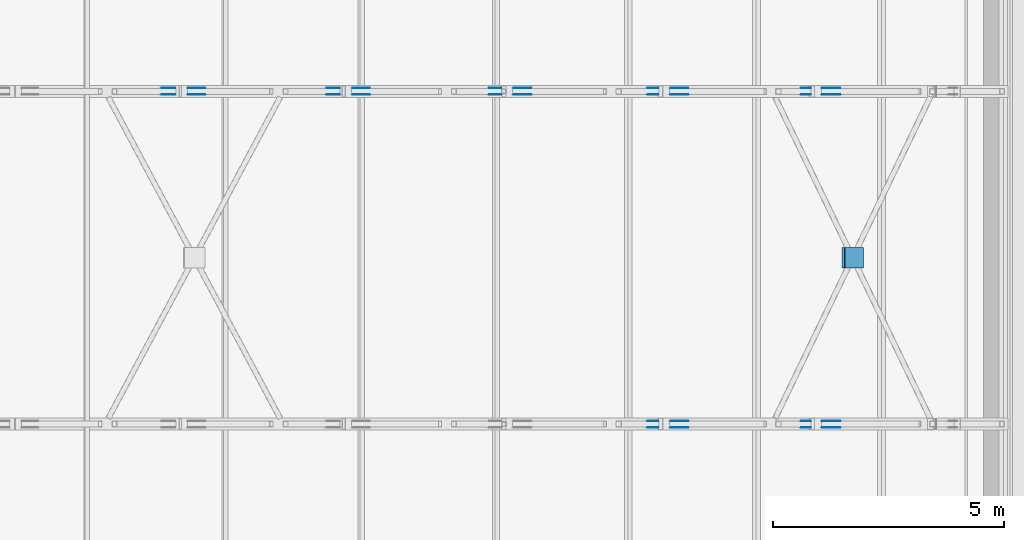
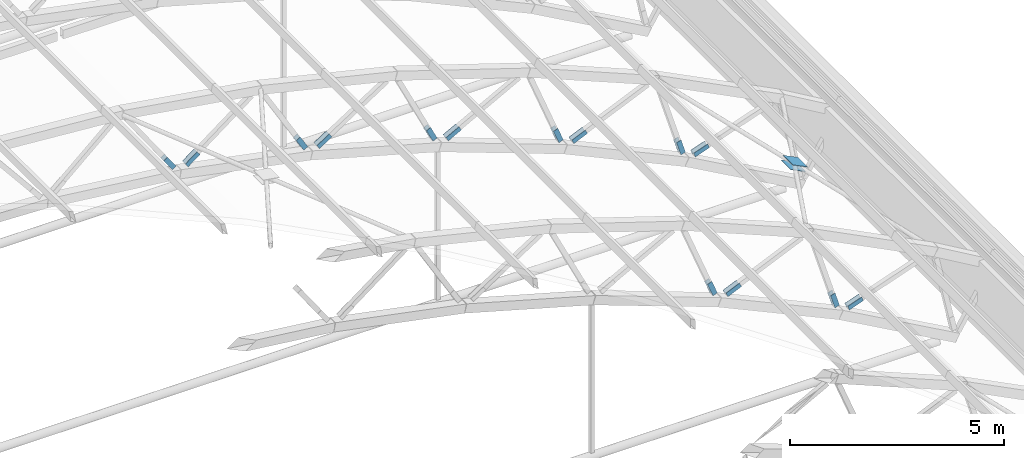
# One storey, part 89 of 127: 30 discrete accessories.
"""IFC4 building model written with IfcOpenShell, lengths in metres."""

from ifc_helpers import new_model, si_unit, direction, frame, origin, origin_2d, place, context, subcontext, project, spatial, rectangle, extrude, material, material_profile, profile_set, type_object, element, save


model = new_model("IFC4")

# Units and contexts
model_context = context("Model", 3, precision=1e-05, world=origin(), true_north=direction((0.0, 1.0)))
body_context = subcontext(model_context, "Body", "Model", "MODEL_VIEW")
ifc_project = project(units=[si_unit("LENGTHUNIT", "METRE"), si_unit("AREAUNIT", "SQUARE_METRE"), si_unit("VOLUMEUNIT", "CUBIC_METRE"), si_unit("PLANEANGLEUNIT", "RADIAN"), si_unit("MASSUNIT", "GRAM", prefix="KILO")], contexts=[model_context])

# Site, building, storey
site_placement = place(None, origin())
site = spatial("IfcSite", under=ifc_project, at=site_placement, CompositionType="ELEMENT")
building_placement = place(site_placement, origin())
building = spatial("IfcBuilding", under=site, at=building_placement, Name="Verrick Yard Athletic Hall", CompositionType="ELEMENT")
storey_placement = place(building_placement, frame((0.0, 0.0, 14.0)))
storey = spatial("IfcBuildingStorey", under=building, at=storey_placement, Name="L03", CompositionType="ELEMENT", Elevation=14.0)

# Discrete accessories
ifc_material = material(Name="Structural steel 350W (CSA G40.21)", Category="steel")
ifc_material_profile_1 = material_profile(ifc_material, rectangle(XDim=0.39990234375, YDim=0.126953125, at=origin_2d()), Name="Brace end cheek plate")
ifc_profile_set_1 = profile_set([ifc_material_profile_1], Name="Structural steel 350W (CSA G40.21)")
discrete_accessory_type_1 = type_object("IfcDiscreteAccessoryType", Name="Brace end cheek plate 400x127x12", PredefinedType="BRACKET", material=ifc_profile_set_1)
discrete_accessory_1_placement = place(storey_placement, frame((69.413330078125, 86.33642578125, 3.684814453125), z_axis=(0.0, -1.0, 0.0), x_axis=(-0.363562561074, 0.0, 0.931569784925)))
element("IfcDiscreteAccessory", 1, at=discrete_accessory_1_placement, inside=storey, type_object=discrete_accessory_type_1, Name="Truss web end plate TB3-24 1", PredefinedType="BRACKET", context=body_context, shape_type="SweptSolid", body=[
    extrude(rectangle(XDim=0.39990234375, YDim=0.126953125, at=origin_2d()), origin(), (0.0, 0.0, 1.0), 0.011962890625),
])
for number, where, z_axis, x_axis, name in (
    (2, (69.413330078125, 86.46337890625, 3.684814453125), (0.0, 1.0, 0.0), (-0.363562561074, 0.0, 0.931569784925), "Truss web end plate TB3-24 2"),
    (3, (69.987060546875, 86.46337890625, 3.447509765625), (0.0, 1.0, 0.0), (0.915285173692, 0.0, 0.402806468194), "Truss web end plate TB3-25 1"),
):
    element("IfcDiscreteAccessory", number, at=place(storey_placement, frame(where, z_axis=z_axis, x_axis=x_axis)), inside=storey, type_object=discrete_accessory_type_1, Name=name, PredefinedType="BRACKET", context=body_context, shape_type="SweptSolid", body=[
        extrude(rectangle(XDim=0.39990234375, YDim=0.126953125, at=origin_2d()), origin(), (0.0, 0.0, 1.0), 0.01220703125),
    ])
for number, where, z_axis, x_axis, name in (
    (4, (69.987060546875, 86.33642578125, 3.447509765625), (0.0, -1.0, 0.0), (0.915285173692, 0.0, 0.402806468194), "Truss web end plate TB3-25 2"),
    (5, (72.722412109375, 86.33642578125, 2.18896484375), (0.0, -1.0, 0.0), (-0.289473335175, 0.0, 0.95718607816), "Truss web end plate TB3-26 1"),
):
    element("IfcDiscreteAccessory", number, at=place(storey_placement, frame(where, z_axis=z_axis, x_axis=x_axis)), inside=storey, type_object=discrete_accessory_type_1, Name=name, PredefinedType="BRACKET", context=body_context, shape_type="SweptSolid", body=[
        extrude(rectangle(XDim=0.39990234375, YDim=0.126953125, at=origin_2d()), origin(), (0.0, 0.0, 1.0), 0.011962890625),
    ])
for number, where, z_axis, x_axis, name in (
    (6, (72.722412109375, 86.46337890625, 2.18896484375), (0.0, 1.0, 0.0), (-0.289473335175, 0.0, 0.95718607816), "Truss web end plate TB3-26 2"),
    (7, (73.27587890625, 86.46337890625, 1.907470703125), (0.0, 1.0, 0.0), (0.944025603302, 0.0, 0.32987218784), "Truss web end plate TB3-27 1"),
):
    element("IfcDiscreteAccessory", number, at=place(storey_placement, frame(where, z_axis=z_axis, x_axis=x_axis)), inside=storey, type_object=discrete_accessory_type_1, Name=name, PredefinedType="BRACKET", context=body_context, shape_type="SweptSolid", body=[
        extrude(rectangle(XDim=0.39990234375, YDim=0.126953125, at=origin_2d()), origin(), (0.0, 0.0, 1.0), 0.01220703125),
    ])
discrete_accessory_2_placement = place(storey_placement, frame((73.27587890625, 86.33642578125, 1.907470703125), z_axis=(0.0, -1.0, 0.0), x_axis=(0.944025603302, 0.0, 0.32987218784)))
element("IfcDiscreteAccessory", 8, at=discrete_accessory_2_placement, inside=storey, type_object=discrete_accessory_type_1, Name="Truss web end plate TB3-27 2", PredefinedType="BRACKET", context=body_context, shape_type="SweptSolid", body=[
    extrude(rectangle(XDim=0.39990234375, YDim=0.126953125, at=origin_2d()), origin(), (0.0, 0.0, 1.0), 0.011962890625),
])
discrete_accessory_3_placement = place(storey_placement, frame((58.92822265625, 93.53662109375, 6.56103515625), z_axis=(0.0, -1.0, 0.0), x_axis=(-0.570674326681, 0.0, 0.821176480951)))
element("IfcDiscreteAccessory", 9, at=discrete_accessory_3_placement, inside=storey, type_object=discrete_accessory_type_1, Name="Truss web end plate TB4-18 1", PredefinedType="BRACKET", context=body_context, shape_type="SweptSolid", body=[
    extrude(rectangle(XDim=0.39990234375, YDim=0.126953125, at=origin_2d()), origin(), (0.0, 0.0, 1.0), 0.01220703125),
])
for number, where, z_axis, x_axis, name in (
    (10, (58.92822265625, 93.66357421875, 6.56103515625), (0.0, 1.0, 0.0), (-0.570674326681, 0.0, 0.821176480951), "Truss web end plate TB4-18 2"),
    (11, (59.541748046875, 93.66357421875, 6.464111328125), (0.0, 1.0, 0.0), (0.796193473644, 0.0, 0.605042108061), "Truss web end plate TB4-19 1"),
):
    element("IfcDiscreteAccessory", number, at=place(storey_placement, frame(where, z_axis=z_axis, x_axis=x_axis)), inside=storey, type_object=discrete_accessory_type_1, Name=name, PredefinedType="BRACKET", context=body_context, shape_type="SweptSolid", body=[
        extrude(rectangle(XDim=0.39990234375, YDim=0.126953125, at=origin_2d()), origin(), (0.0, 0.0, 1.0), 0.011962890625),
    ])
for number, where, z_axis, x_axis, name in (
    (12, (59.541748046875, 93.53662109375, 6.464111328125), (0.0, -1.0, 0.0), (0.796193473644, 0.0, 0.605042108061), "Truss web end plate TB4-19 2"),
    (13, (62.494873046875, 93.53662109375, 5.877685546875), (0.0, -1.0, 0.0), (-0.504596608522, 0.0, 0.863355235502), "Truss web end plate TB4-20 1"),
):
    element("IfcDiscreteAccessory", number, at=place(storey_placement, frame(where, z_axis=z_axis, x_axis=x_axis)), inside=storey, type_object=discrete_accessory_type_1, Name=name, PredefinedType="BRACKET", context=body_context, shape_type="SweptSolid", body=[
        extrude(rectangle(XDim=0.39990234375, YDim=0.126953125, at=origin_2d()), origin(), (0.0, 0.0, 1.0), 0.01220703125),
    ])
for number, where, z_axis, x_axis, name in (
    (14, (62.494873046875, 93.66357421875, 5.877685546875), (0.0, 1.0, 0.0), (-0.504596608522, 0.0, 0.863355235502), "Truss web end plate TB4-20 2"),
    (15, (63.098876953125, 93.66357421875, 5.73291015625), (0.0, 1.0, 0.0), (0.841141186405, 0.0, 0.540815591984), "Truss web end plate TB4-21 1"),
):
    element("IfcDiscreteAccessory", number, at=place(storey_placement, frame(where, z_axis=z_axis, x_axis=x_axis)), inside=storey, type_object=discrete_accessory_type_1, Name=name, PredefinedType="BRACKET", context=body_context, shape_type="SweptSolid", body=[
        extrude(rectangle(XDim=0.39990234375, YDim=0.126953125, at=origin_2d()), origin(), (0.0, 0.0, 1.0), 0.011962890625),
    ])
for number, where, z_axis, x_axis, name in (
    (16, (63.098876953125, 93.53662109375, 5.73291015625), (0.0, -1.0, 0.0), (0.841141186405, 0.0, 0.540815591984), "Truss web end plate TB4-21 2"),
    (17, (65.9970703125, 93.53662109375, 4.9169921875), (0.0, -1.0, 0.0), (-0.435417263932, 0.0, 0.90022875219), "Truss web end plate TB4-22 1"),
):
    element("IfcDiscreteAccessory", number, at=place(storey_placement, frame(where, z_axis=z_axis, x_axis=x_axis)), inside=storey, type_object=discrete_accessory_type_1, Name=name, PredefinedType="BRACKET", context=body_context, shape_type="SweptSolid", body=[
        extrude(rectangle(XDim=0.39990234375, YDim=0.126953125, at=origin_2d()), origin(), (0.0, 0.0, 1.0), 0.01220703125),
    ])
for number, where, z_axis, x_axis, name in (
    (18, (65.9970703125, 93.66357421875, 4.9169921875), (0.0, 1.0, 0.0), (-0.435417263932, 0.0, 0.90022875219), "Truss web end plate TB4-22 2"),
    (19, (66.587890625, 93.66357421875, 4.725341796875), (0.0, 1.0, 0.0), (0.880919955637, 0.0, 0.473265286876), "Truss web end plate TB4-23 1"),
):
    element("IfcDiscreteAccessory", number, at=place(storey_placement, frame(where, z_axis=z_axis, x_axis=x_axis)), inside=storey, type_object=discrete_accessory_type_1, Name=name, PredefinedType="BRACKET", context=body_context, shape_type="SweptSolid", body=[
        extrude(rectangle(XDim=0.39990234375, YDim=0.126953125, at=origin_2d()), origin(), (0.0, 0.0, 1.0), 0.011962890625),
    ])
for number, where, z_axis, x_axis, name in (
    (20, (66.587890625, 93.53662109375, 4.725341796875), (0.0, -1.0, 0.0), (0.880919955637, 0.0, 0.473265286876), "Truss web end plate TB4-23 2"),
    (21, (69.413330078125, 93.53662109375, 3.684814453125), (0.0, -1.0, 0.0), (-0.363562561074, 0.0, 0.931569784925), "Truss web end plate TB4-24 1"),
):
    element("IfcDiscreteAccessory", number, at=place(storey_placement, frame(where, z_axis=z_axis, x_axis=x_axis)), inside=storey, type_object=discrete_accessory_type_1, Name=name, PredefinedType="BRACKET", context=body_context, shape_type="SweptSolid", body=[
        extrude(rectangle(XDim=0.39990234375, YDim=0.126953125, at=origin_2d()), origin(), (0.0, 0.0, 1.0), 0.01220703125),
    ])
for number, where, z_axis, x_axis, name in (
    (22, (69.413330078125, 93.66357421875, 3.684814453125), (0.0, 1.0, 0.0), (-0.363562561074, 0.0, 0.931569784925), "Truss web end plate TB4-24 2"),
    (23, (69.987060546875, 93.66357421875, 3.447509765625), (0.0, 1.0, 0.0), (0.915285173692, 0.0, 0.402806468194), "Truss web end plate TB4-25 1"),
):
    element("IfcDiscreteAccessory", number, at=place(storey_placement, frame(where, z_axis=z_axis, x_axis=x_axis)), inside=storey, type_object=discrete_accessory_type_1, Name=name, PredefinedType="BRACKET", context=body_context, shape_type="SweptSolid", body=[
        extrude(rectangle(XDim=0.39990234375, YDim=0.126953125, at=origin_2d()), origin(), (0.0, 0.0, 1.0), 0.011962890625),
    ])
for number, where, z_axis, x_axis, name in (
    (24, (69.987060546875, 93.53662109375, 3.447509765625), (0.0, -1.0, 0.0), (0.915285173692, 0.0, 0.402806468194), "Truss web end plate TB4-25 2"),
    (25, (72.722412109375, 93.53662109375, 2.18896484375), (0.0, -1.0, 0.0), (-0.289473335175, 0.0, 0.95718607816), "Truss web end plate TB4-26 1"),
):
    element("IfcDiscreteAccessory", number, at=place(storey_placement, frame(where, z_axis=z_axis, x_axis=x_axis)), inside=storey, type_object=discrete_accessory_type_1, Name=name, PredefinedType="BRACKET", context=body_context, shape_type="SweptSolid", body=[
        extrude(rectangle(XDim=0.39990234375, YDim=0.126953125, at=origin_2d()), origin(), (0.0, 0.0, 1.0), 0.01220703125),
    ])
for number, where, z_axis, x_axis, name in (
    (26, (72.722412109375, 93.66357421875, 2.18896484375), (0.0, 1.0, 0.0), (-0.289473335175, 0.0, 0.95718607816), "Truss web end plate TB4-26 2"),
    (27, (73.27587890625, 93.66357421875, 1.907470703125), (0.0, 1.0, 0.0), (0.944025603302, 0.0, 0.32987218784), "Truss web end plate TB4-27 1"),
):
    element("IfcDiscreteAccessory", number, at=place(storey_placement, frame(where, z_axis=z_axis, x_axis=x_axis)), inside=storey, type_object=discrete_accessory_type_1, Name=name, PredefinedType="BRACKET", context=body_context, shape_type="SweptSolid", body=[
        extrude(rectangle(XDim=0.39990234375, YDim=0.126953125, at=origin_2d()), origin(), (0.0, 0.0, 1.0), 0.011962890625),
    ])
discrete_accessory_4_placement = place(storey_placement, frame((73.27587890625, 93.53662109375, 1.907470703125), z_axis=(0.0, -1.0, 0.0), x_axis=(0.944025603302, 0.0, 0.32987218784)))
element("IfcDiscreteAccessory", 28, at=discrete_accessory_4_placement, inside=storey, type_object=discrete_accessory_type_1, Name="Truss web end plate TB4-27 2", PredefinedType="BRACKET", context=body_context, shape_type="SweptSolid", body=[
    extrude(rectangle(XDim=0.39990234375, YDim=0.126953125, at=origin_2d()), origin(), (0.0, 0.0, 1.0), 0.01220703125),
])
ifc_material_profile_2 = material_profile(ifc_material, rectangle(XDim=0.449951171875, YDim=0.449951171875, at=origin_2d()), Name="Brace node plate")
ifc_profile_set_2 = profile_set([ifc_material_profile_2], Name="Structural steel 350W (CSA G40.21)")
discrete_accessory_type_2 = type_object("IfcDiscreteAccessoryType", Name="Brace node plate 450x450x12", PredefinedType="BRACKET", material=ifc_profile_set_2)
for number, where, z_axis, x_axis, name in (
    (29, (73.71630859375, 90.0, 3.458251953125), (-0.4472135955, 0.0, -0.894427191), (0.0, -1.0, 0.0), "Brace node plate B3-12 1"),
    (30, (73.76806640625, 90.0, 3.56005859375), (0.4472135955, 0.0, 0.894427191), (0.0, 1.0, 0.0), "Brace node plate B3-12 2"),
):
    element("IfcDiscreteAccessory", number, at=place(storey_placement, frame(where, z_axis=z_axis, x_axis=x_axis)), inside=storey, type_object=discrete_accessory_type_2, Name=name, PredefinedType="BRACKET", context=body_context, shape_type="SweptSolid", body=[
        extrude(rectangle(XDim=0.449951171875, YDim=0.449951171875, at=origin_2d()), origin(), (0.0, 0.0, 1.0), 0.011962890625),
    ])

save(model, "model.ifc")
